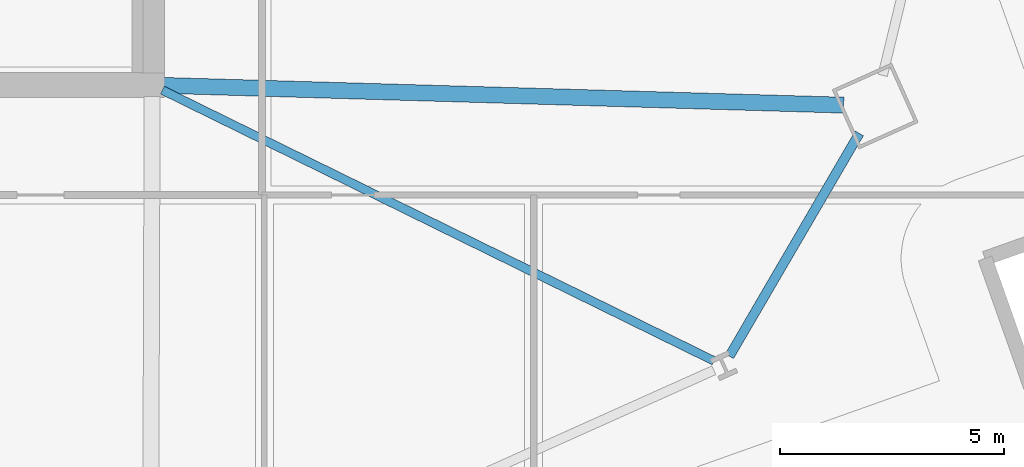
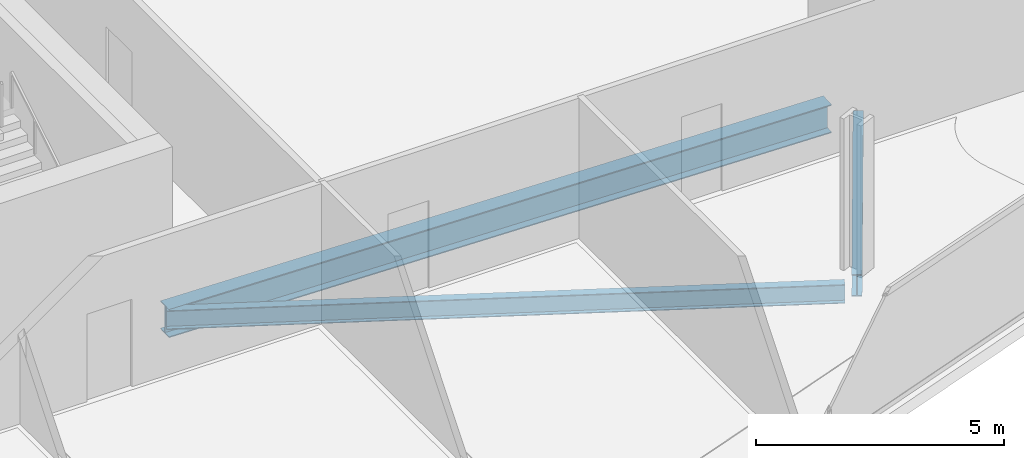
# One storey, part 11 of 33: 3 beams.
"""IFC4 building model written with IfcOpenShell, lengths in metres."""

from ifc_helpers import new_model, si_unit, direction, frame, origin, origin_2d, place, context, subcontext, project, spatial, i_section, extrude, material, material_profile, profile_set, type_object, element, save


model = new_model("IFC4")

# Units and contexts
model_context = context("Model", 3, precision=1e-05, world=origin(), true_north=direction((0.0, 1.0)))
body_context = subcontext(model_context, "Body", "Model", "MODEL_VIEW")
ifc_project = project(units=[si_unit("LENGTHUNIT", "METRE"), si_unit("AREAUNIT", "SQUARE_METRE"), si_unit("VOLUMEUNIT", "CUBIC_METRE"), si_unit("PLANEANGLEUNIT", "RADIAN"), si_unit("MASSUNIT", "GRAM", prefix="KILO")], contexts=[model_context])

# Site, building, storey
site_placement = place(None, origin())
site = spatial("IfcSite", under=ifc_project, at=site_placement, CompositionType="ELEMENT")
building_placement = place(site_placement, origin())
building = spatial("IfcBuilding", under=site, at=building_placement, Name="Haldenkirk Collegiate Tower", CompositionType="ELEMENT")
storey_placement = place(building_placement, frame((0.0, 0.0, 94.199951171875)))
storey = spatial("IfcBuildingStorey", under=building, at=storey_placement, Name="L22", CompositionType="ELEMENT", Elevation=94.199951171875)

# Beams
ifc_material = material(Name="Steel ASTM A992 Grade 50", Category="steel")
ifc_material_profile_1 = material_profile(ifc_material, i_section(OverallWidth=0.35498046875, OverallDepth=0.696044921875, WebThickness=0.015380859375, FlangeThickness=0.02490234375, at=origin_2d()), Name="W27X146")
ifc_profile_set_1 = profile_set([ifc_material_profile_1], Name="Steel ASTM A992 Grade 50")
beam_type_1 = type_object("IfcBeamType", Name="BM-GIRDER-W27X146", PredefinedType="BEAM", material=ifc_profile_set_1)
beam_1_placement = place(storey_placement, frame((60.4072265625, 17.55322265625, -0.64794921875), z_axis=(-0.999579697841, 0.028990130448, 0.0), x_axis=(-0.028990130448, -0.999579697841, 0.0)))
element("IfcBeam", 1, at=beam_1_placement, inside=storey, type_object=beam_type_1, Name="L22 primary floor girder 02", PredefinedType="BEAM", context=body_context, shape_type="SweptSolid", body=[
    extrude(i_section(OverallWidth=0.35498046875, OverallDepth=0.696044921875, WebThickness=0.015380859375, FlangeThickness=0.02490234375, at=origin_2d()), origin(), (0.0, 0.0, 1.0), 15.15869140625),
])
ifc_material_profile_2 = material_profile(ifc_material, i_section(OverallWidth=0.19189453125, OverallDepth=0.462890625, WebThickness=0.010498046875, FlangeThickness=0.017578125, at=origin_2d()), Name="W18X60")
ifc_profile_set_2 = profile_set([ifc_material_profile_2], Name="Steel ASTM A992 Grade 50")
beam_type_2 = type_object("IfcBeamType", Name="BM-JOIST-W18X60", PredefinedType="JOIST", material=ifc_profile_set_2)
beam_2_placement = place(storey_placement, frame((57.517822265625, 11.8544921875, -0.531494140625), z_axis=(-0.897652859595, 0.440703237634, 0.0), x_axis=(-0.440703237634, -0.897652859595, 0.0)))
element("IfcBeam", 2, at=beam_2_placement, inside=storey, type_object=beam_type_2, Name="L22 composite floor joist 07", PredefinedType="JOIST", context=body_context, shape_type="SweptSolid", body=[
    extrude(i_section(OverallWidth=0.19189453125, OverallDepth=0.462890625, WebThickness=0.010498046875, FlangeThickness=0.017578125, at=origin_2d()), origin(), (0.0, 0.0, 1.0), 13.68994140625),
])
ifc_material_profile_3 = material_profile(ifc_material, i_section(OverallWidth=0.2119140625, OverallDepth=0.5439453125, WebThickness=0.01318359375, FlangeThickness=0.021240234375, at=origin_2d()), Name="W21X83")
ifc_profile_set_3 = profile_set([ifc_material_profile_3], Name="Steel ASTM A992 Grade 50")
beam_type_3 = type_object("IfcBeamType", Name="BM-SPANDREL-W21X83", PredefinedType="SPANDREL", material=ifc_profile_set_3)
beam_3_placement = place(storey_placement, frame((57.86181640625, 11.958251953125, -0.572021484375), z_axis=(0.503667660107, 0.863897498643, 0.0), x_axis=(-0.863897498643, 0.503667660107, 0.0)))
element("IfcBeam", 3, at=beam_3_placement, inside=storey, type_object=beam_type_3, Name="L22 perimeter spandrel beam 04", PredefinedType="SPANDREL", context=body_context, shape_type="SweptSolid", body=[
    extrude(i_section(OverallWidth=0.2119140625, OverallDepth=0.5439453125, WebThickness=0.01318359375, FlangeThickness=0.021240234375, at=origin_2d()), origin(), (0.0, 0.0, 1.0), 5.747802734375),
])

save(model, "model.ifc")
